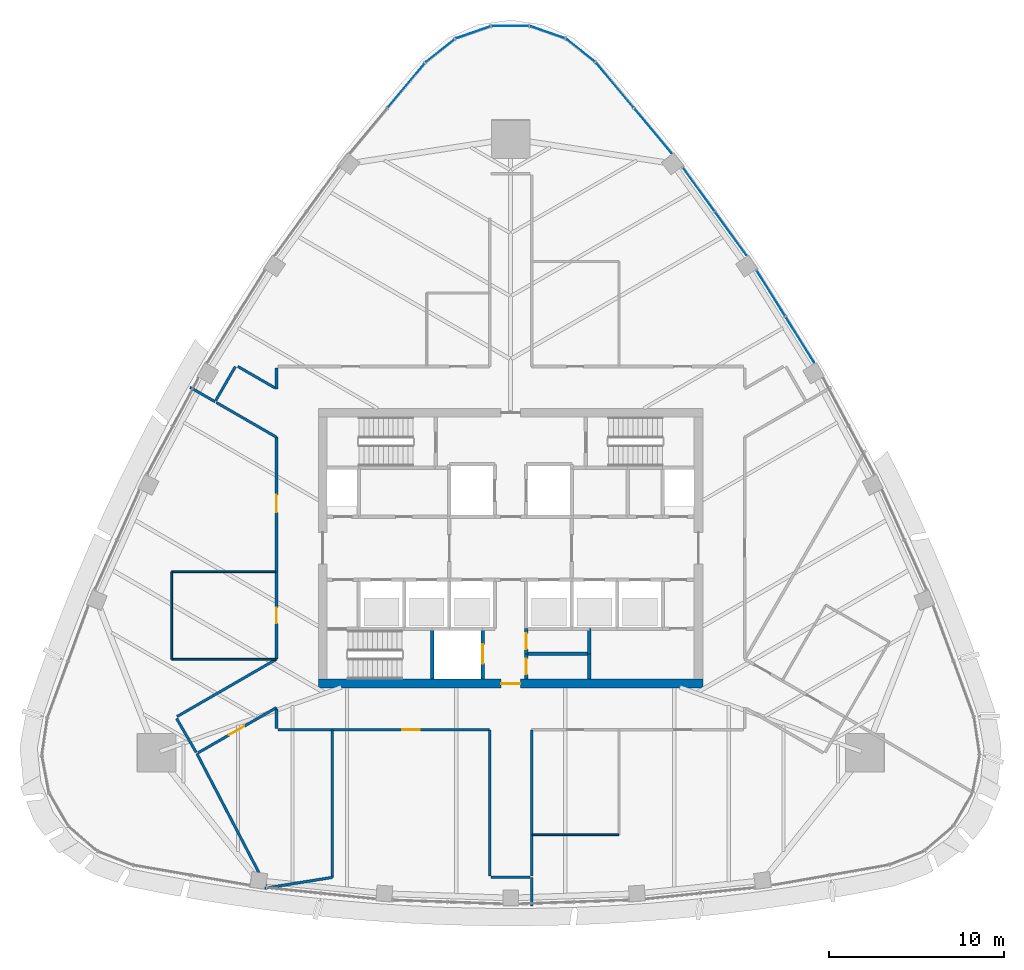
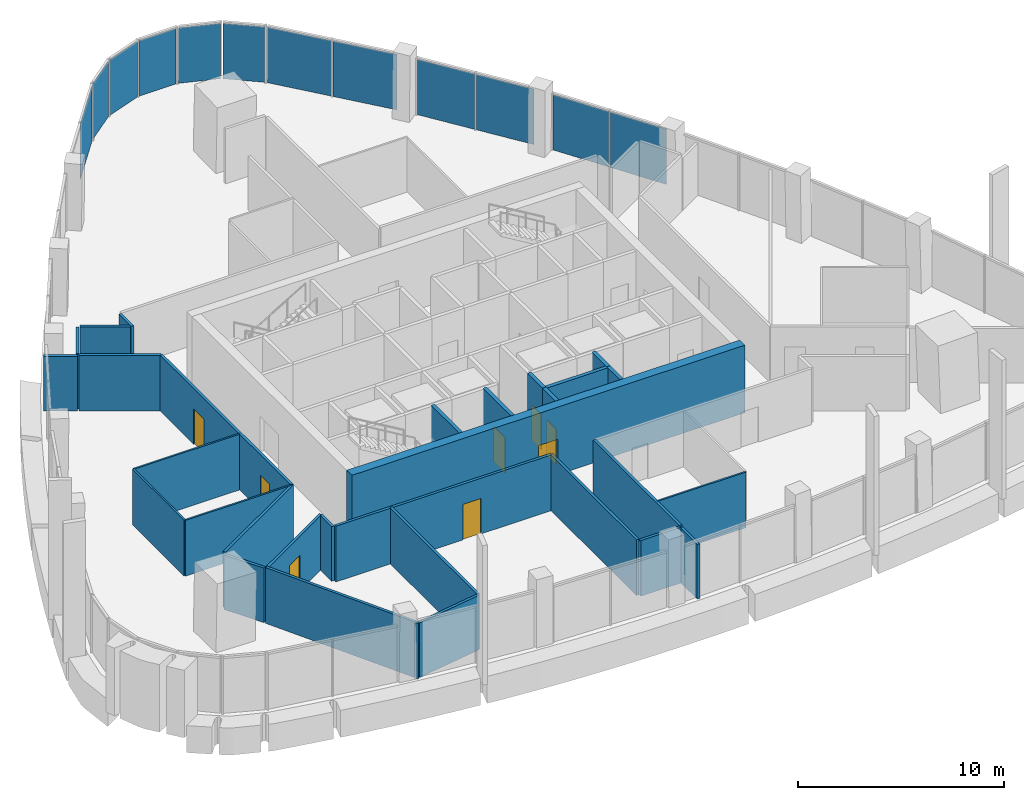
# One storey, part 8 of 16: 31 walls, 12 plates, 8 doors, 8 openings, 9 elements without a shape of their own.
"""IFC4 building model written with IfcOpenShell, lengths in metres."""

from ifc_helpers import new_model, si_unit, direction, frame, frame_2d, origin, origin_2d, place, context, subcontext, project, spatial, rectangle, extrude, material, layer, layer_set, type_object, element, fill, aggregate, save


model = new_model("IFC4")

# Units and contexts
model_context = context("Model", 3, precision=1e-05, world=origin(), true_north=direction((0.0, 1.0)))
body_context = subcontext(model_context, "Body", "Model", "MODEL_VIEW")
ifc_project = project(units=[si_unit("LENGTHUNIT", "METRE"), si_unit("AREAUNIT", "SQUARE_METRE"), si_unit("VOLUMEUNIT", "CUBIC_METRE"), si_unit("PLANEANGLEUNIT", "RADIAN"), si_unit("MASSUNIT", "GRAM", prefix="KILO")], contexts=[model_context])

# Site, building, storey
site_placement = place(None, origin())
site = spatial("IfcSite", under=ifc_project, at=site_placement, CompositionType="ELEMENT")
building_placement = place(site_placement, origin())
building = spatial("IfcBuilding", under=site, at=building_placement, Name="Sierra Prisma Convention Tower", CompositionType="ELEMENT")
storey_placement = place(building_placement, frame((0.0, 0.0, 303.0)))
storey = spatial("IfcBuildingStorey", under=building, at=storey_placement, Name="L69", CompositionType="ELEMENT", Elevation=303.0)

# Curtain wall, plates
ifc_material_1 = material(Name="Aluminium and glass curtain wall", Category="aluminium")
ifc_layer_1 = layer(ifc_material_1, 0.179931640625)
ifc_layer_set_1 = layer_set([ifc_layer_1], Name="CW-1 Plain shaft curtain wall")
curtain_wall_type = type_object("IfcCurtainWallType", Name="CW-1 Plain shaft curtain wall", PredefinedType="NOTDEFINED", material=ifc_layer_set_1)
curtain_wall_1_placement = place(storey_placement, origin())
curtain_wall_1 = element("IfcCurtainWall", 1, at=curtain_wall_1_placement, inside=storey, type_object=curtain_wall_type, Name="CW-1 NE4 L69", PredefinedType="NOTDEFINED")
ifc_material_2 = material(Name="Tinted glass bronze-grey IGU", Category="glass")
ifc_layer_2 = layer(ifc_material_2, 0.028076171875)
ifc_layer_set_2 = layer_set([ifc_layer_2], Name="CW-1 glass panel")
plate_type = type_object("IfcPlateType", Name="CW-1 glass panel", PredefinedType="CURTAIN_PANEL", material=ifc_layer_set_2)
plate_1_placement = place(storey_placement, frame((16.552734375, 11.92822265625, 0.0), z_axis=(0.0, 0.0, 1.0), x_axis=(-0.529554790081, 0.848275736009, 0.0)))
plate_1 = element("IfcPlate", 2, at=plate_1_placement, type_object=plate_type, Name="CW-1 panel NE4.1", PredefinedType="CURTAIN_PANEL", context=body_context, shape_type="SweptSolid", body=[
    extrude(rectangle(XDim=3.070068359375, YDim=0.028076171875, at=origin_2d()), origin(), (0.0, 0.0, 1.0), 3.280029296875),
])
plate_2_placement = place(storey_placement, frame((14.889892578125, 14.591796875, 0.0), z_axis=(0.0, 0.0, 1.0), x_axis=(-0.529554790081, 0.848275736009, 0.0)))
plate_2 = element("IfcPlate", 3, at=plate_2_placement, type_object=plate_type, Name="CW-1 panel NE4.2", PredefinedType="CURTAIN_PANEL", context=body_context, shape_type="SweptSolid", body=[
    extrude(rectangle(XDim=3.070068359375, YDim=0.028076171875, at=origin_2d()), origin(), (0.0, 0.0, 1.0), 3.280029296875),
])
aggregate(curtain_wall_1, [plate_1, plate_2])

curtain_wall_2_placement = place(storey_placement, origin())
curtain_wall_2 = element("IfcCurtainWall", 4, at=curtain_wall_2_placement, inside=storey, type_object=curtain_wall_type, Name="CW-1 NE5 L69", PredefinedType="NOTDEFINED")
plate_3_placement = place(storey_placement, frame((12.593994140625, 18.0029296875, 0.0), z_axis=(0.0, 0.0, 1.0), x_axis=(-0.586741806038, 0.809774075312, 0.0)))
plate_3 = element("IfcPlate", 5, at=plate_3_placement, type_object=plate_type, Name="CW-1 panel NE5.1", PredefinedType="CURTAIN_PANEL", context=body_context, shape_type="SweptSolid", body=[
    extrude(rectangle(XDim=3.054931640625, YDim=0.028076171875, at=origin_2d()), origin(), (0.0, 0.0, 1.0), 3.280029296875),
])
plate_4_placement = place(storey_placement, frame((10.760498046875, 20.533447265625, 0.0), z_axis=(0.0, 0.0, 1.0), x_axis=(-0.586741806038, 0.809774075312, 0.0)))
plate_4 = element("IfcPlate", 6, at=plate_4_placement, type_object=plate_type, Name="CW-1 panel NE5.2", PredefinedType="CURTAIN_PANEL", context=body_context, shape_type="SweptSolid", body=[
    extrude(rectangle(XDim=3.054931640625, YDim=0.028076171875, at=origin_2d()), origin(), (0.0, 0.0, 1.0), 3.280029296875),
])
aggregate(curtain_wall_2, [plate_3, plate_4])

curtain_wall_3_placement = place(storey_placement, origin())
curtain_wall_3 = element("IfcCurtainWall", 7, at=curtain_wall_3_placement, inside=storey, type_object=curtain_wall_type, Name="CW-1 NE6 L69", PredefinedType="NOTDEFINED")
plate_5_placement = place(storey_placement, frame((8.14306640625, 23.890869140625, 0.0), z_axis=(0.0, 0.0, 1.0), x_axis=(-0.641140195058, 0.7674237749, 0.0)))
plate_5 = element("IfcPlate", 8, at=plate_5_placement, type_object=plate_type, Name="CW-1 panel NE6.1", PredefinedType="CURTAIN_PANEL", context=body_context, shape_type="SweptSolid", body=[
    extrude(rectangle(XDim=3.30078125, YDim=0.028076171875, at=origin_2d()), origin(), (0.0, 0.0, 1.0), 3.280029296875),
])
plate_6_placement = place(storey_placement, frame((5.98193359375, 26.477783203125, 0.0), z_axis=(0.0, 0.0, 1.0), x_axis=(-0.641140195058, 0.7674237749, 0.0)))
plate_6 = element("IfcPlate", 9, at=plate_6_placement, type_object=plate_type, Name="CW-1 panel NE6.2", PredefinedType="CURTAIN_PANEL", context=body_context, shape_type="SweptSolid", body=[
    extrude(rectangle(XDim=3.30078125, YDim=0.028076171875, at=origin_2d()), origin(), (0.0, 0.0, 1.0), 3.280029296875),
])
aggregate(curtain_wall_3, [plate_5, plate_6])

# Curtain wall, plate
curtain_wall_4_placement = place(storey_placement, origin())
curtain_wall_4 = element("IfcCurtainWall", 10, at=curtain_wall_4_placement, inside=storey, type_object=curtain_wall_type, Name="CW-1 N1 L69", PredefinedType="NOTDEFINED")
plate_7_placement = place(storey_placement, frame((4.021728515625, 28.48046875, 0.0), z_axis=(0.0, 0.0, 1.0), x_axis=(-0.782410569814, 0.622762956704, 0.0)))
plate_7 = element("IfcPlate", 11, at=plate_7_placement, type_object=plate_type, Name="CW-1 panel N1.1", PredefinedType="CURTAIN_PANEL", context=body_context, shape_type="SweptSolid", body=[
    extrude(rectangle(XDim=2.05126953125, YDim=0.028076171875, at=origin_2d()), origin(), (0.0, 0.0, 1.0), 3.280029296875),
])
aggregate(curtain_wall_4, [plate_7])

curtain_wall_5_placement = place(storey_placement, origin())
curtain_wall_5 = element("IfcCurtainWall", 12, at=curtain_wall_5_placement, inside=storey, type_object=curtain_wall_type, Name="CW-1 N2 L69", PredefinedType="NOTDEFINED")
plate_8_placement = place(storey_placement, frame((2.130126953125, 29.524169921875, 0.0), z_axis=(0.0, 0.0, 1.0), x_axis=(-0.944036696801, 0.329840438838, 0.0)))
plate_8 = element("IfcPlate", 13, at=plate_8_placement, type_object=plate_type, Name="CW-1 panel N2.1", PredefinedType="CURTAIN_PANEL", context=body_context, shape_type="SweptSolid", body=[
    extrude(rectangle(XDim=2.05126953125, YDim=0.028076171875, at=origin_2d()), origin(), (0.0, 0.0, 1.0), 3.280029296875),
])
aggregate(curtain_wall_5, [plate_8])

curtain_wall_6_placement = place(storey_placement, origin())
curtain_wall_6 = element("IfcCurtainWall", 14, at=curtain_wall_6_placement, inside=storey, type_object=curtain_wall_type, Name="CW-1 N3 L69", PredefinedType="NOTDEFINED")
plate_9_placement = place(storey_placement, frame((0.0, 29.8857421875, 0.0), z_axis=(0.0, 0.0, 1.0), x_axis=(-1.0, 0.0, 0.0)))
plate_9 = element("IfcPlate", 15, at=plate_9_placement, type_object=plate_type, Name="CW-1 panel N3.1", PredefinedType="CURTAIN_PANEL", context=body_context, shape_type="SweptSolid", body=[
    extrude(rectangle(XDim=2.05126953125, YDim=0.028076171875, at=origin_2d()), origin(), (0.0, 0.0, 1.0), 3.280029296875),
])
aggregate(curtain_wall_6, [plate_9])

curtain_wall_7_placement = place(storey_placement, origin())
curtain_wall_7 = element("IfcCurtainWall", 16, at=curtain_wall_7_placement, inside=storey, type_object=curtain_wall_type, Name="CW-1 N4 L69", PredefinedType="NOTDEFINED")
plate_10_placement = place(storey_placement, frame((-2.130126953125, 29.524169921875, 0.0), z_axis=(0.0, 0.0, 1.0), x_axis=(-0.944036696801, -0.329840438838, 0.0)))
plate_10 = element("IfcPlate", 17, at=plate_10_placement, type_object=plate_type, Name="CW-1 panel N4.1", PredefinedType="CURTAIN_PANEL", context=body_context, shape_type="SweptSolid", body=[
    extrude(rectangle(XDim=2.05126953125, YDim=0.028076171875, at=origin_2d()), origin(), (0.0, 0.0, 1.0), 3.280029296875),
])
aggregate(curtain_wall_7, [plate_10])

curtain_wall_8_placement = place(storey_placement, origin())
curtain_wall_8 = element("IfcCurtainWall", 18, at=curtain_wall_8_placement, inside=storey, type_object=curtain_wall_type, Name="CW-1 N5 L69", PredefinedType="NOTDEFINED")
plate_11_placement = place(storey_placement, frame((-4.021728515625, 28.48046875, 0.0), z_axis=(0.0, 0.0, 1.0), x_axis=(-0.782410569814, -0.622762956704, 0.0)))
plate_11 = element("IfcPlate", 19, at=plate_11_placement, type_object=plate_type, Name="CW-1 panel N5.1", PredefinedType="CURTAIN_PANEL", context=body_context, shape_type="SweptSolid", body=[
    extrude(rectangle(XDim=2.05126953125, YDim=0.028076171875, at=origin_2d()), origin(), (0.0, 0.0, 1.0), 3.280029296875),
])
aggregate(curtain_wall_8, [plate_11])

curtain_wall_9_placement = place(storey_placement, origin())
curtain_wall_9 = element("IfcCurtainWall", 20, at=curtain_wall_9_placement, inside=storey, type_object=curtain_wall_type, Name="CW-1 NW1 L69", PredefinedType="NOTDEFINED")
plate_12_placement = place(storey_placement, frame((-5.98193359375, 26.477783203125, 0.0), z_axis=(0.0, 0.0, 1.0), x_axis=(-0.641140195058, -0.7674237749, 0.0)))
plate_12 = element("IfcPlate", 21, at=plate_12_placement, type_object=plate_type, Name="CW-1 panel NW1.1", PredefinedType="CURTAIN_PANEL", context=body_context, shape_type="SweptSolid", body=[
    extrude(rectangle(XDim=3.30078125, YDim=0.028076171875, at=origin_2d()), origin(), (0.0, 0.0, 1.0), 3.280029296875),
])
aggregate(curtain_wall_9, [plate_12])

# Walls
ifc_material_3 = material(Name="Gypsum board partition", Category="gypsum")
ifc_layer_3 = layer(ifc_material_3, 0.10009765625)
ifc_layer_set_3 = layer_set([ifc_layer_3], Name="Bathroom partition 100")
wall_type_1 = type_object("IfcWallType", Name="Bathroom partition 100", PredefinedType="PARTITIONING", material=ifc_layer_set_3)
wall_1_placement = place(storey_placement, frame((-13.4599609375, -6.350830078125, 0.0), z_axis=(0.0, 0.0, 1.0), x_axis=(-1.0, 0.0, 0.0)))
element("IfcWall", 22, at=wall_1_placement, inside=storey, type_object=wall_type_1, Name="Partition L69 bath 1", PredefinedType="PARTITIONING", context=body_context, shape_type="SweptSolid", body=[
    extrude(rectangle(XDim=5.93994140625, YDim=0.10009765625, at=frame_2d((2.969970703125, 0.0))), origin(), (0.0, 0.0, 1.0), 3.300048828125),
])
wall_2_placement = place(storey_placement, frame((-19.39990234375, -6.350830078125, 0.0), z_axis=(0.0, 0.0, 1.0), x_axis=(0.0, 1.0, 0.0)))
element("IfcWall", 23, at=wall_2_placement, inside=storey, type_object=wall_type_1, Name="Partition L69 bath 2", PredefinedType="PARTITIONING", context=body_context, shape_type="SweptSolid", body=[
    extrude(rectangle(XDim=5.0, YDim=0.10009765625, at=frame_2d((2.5, 0.0))), origin(), (0.0, 0.0, 1.0), 3.300048828125),
])
wall_3_placement = place(storey_placement, frame((-19.39990234375, -1.350830078125, 0.0), z_axis=(0.0, 0.0, 1.0), x_axis=(1.0, 0.0, 0.0)))
element("IfcWall", 24, at=wall_3_placement, inside=storey, type_object=wall_type_1, Name="Partition L69 bath 3", PredefinedType="PARTITIONING", context=body_context, shape_type="SweptSolid", body=[
    extrude(rectangle(XDim=5.969970703125, YDim=0.10009765625, at=frame_2d((2.98486328125, 0.0))), origin(), (0.0, 0.0, 1.0), 3.300048828125),
])
wall_4_placement = place(storey_placement, frame((6.199951171875, -16.39990234375, 0.0), z_axis=(0.0, 0.0, 1.0), x_axis=(-1.0, 0.0, 0.0)))
element("IfcWall", 25, at=wall_4_placement, inside=storey, type_object=wall_type_1, Name="Partition L69 bath 7", PredefinedType="PARTITIONING", context=body_context, shape_type="SweptSolid", body=[
    extrude(rectangle(XDim=4.969970703125, YDim=0.10009765625, at=frame_2d((2.48486328125, 0.0))), origin(), (0.0, 0.0, 1.0), 3.300048828125),
])
ifc_material_4 = material(Name="Concrete C30/37", Category="concrete")
ifc_layer_4 = layer(ifc_material_4, 0.199951171875)
ifc_layer_set_4 = layer_set([ifc_layer_4], Name="Core wall RC 200 C30/37")
wall_type_2 = type_object("IfcWallType", Name="Core wall RC 200 C30/37", PredefinedType="SOLIDWALL", material=ifc_layer_set_4)
wall_5_placement = place(storey_placement, frame((-4.5, -4.60009765625, 0.0), z_axis=(0.0, 0.0, 1.0), x_axis=(0.0, -1.0, 0.0)))
element("IfcWall", 26, at=wall_5_placement, inside=storey, type_object=wall_type_2, Name="Core wall L69 14", PredefinedType="SOLIDWALL", context=body_context, shape_type="SweptSolid", body=[
    extrude(rectangle(XDim=2.89990234375, YDim=0.199951171875, at=frame_2d((1.449951171875, 0.0))), origin(), (0.0, 0.0, 1.0), 3.85009765625),
])

# Wall, opening, door
wall_6_placement = place(storey_placement, frame((-1.60009765625, -7.5, 0.0), z_axis=(0.0, 0.0, 1.0), x_axis=(0.0, 1.0, 0.0)))
wall_6 = element("IfcWall", 27, at=wall_6_placement, inside=storey, type_object=wall_type_2, Name="Core wall L69 27", PredefinedType="SOLIDWALL", context=body_context, shape_type="SweptSolid", body=[
    extrude(rectangle(XDim=2.89990234375, YDim=0.199951171875, at=frame_2d((1.449951171875, 0.0))), origin(), (0.0, 0.0, 1.0), 3.85009765625),
])
opening_1_placement = place(wall_6_placement, frame((0.89990234375, 0.0, 0.0)))
opening_1 = element("IfcOpeningElement", 28, at=opening_1_placement, cuts=wall_6, Name="Opening L69-D009", PredefinedType="OPENING", context=body_context, shape_type="SweptSolid", body=[
    extrude(rectangle(XDim=1.10009765625, YDim=2.10009765625, at=frame_2d((0.550048828125, 1.050048828125))), frame((0.0, 0.10009765625, 0.0), z_axis=(0.0, -1.0, 0.0), x_axis=(1.0, 0.0, 0.0)), (0.0, 0.0, 1.0), 0.199951171875),
])
ifc_material_5 = material(Name="Steel fire door leaf", Category="steel")
door_type_1 = type_object("IfcDoorType", Name="Door 1100x2100 EI 90 sliding lift landing", OperationType="SLIDING_TO_LEFT", PredefinedType="DOOR", material=ifc_material_5)
door_1_placement = place(opening_1_placement, origin())
door_1 = element("IfcDoor", 29, at=door_1_placement, inside=storey, type_object=door_type_1, Name="Door L69 22", OperationType="SLIDING_TO_LEFT", OverallHeight=2.10009765625, OverallWidth=1.10009765625, PredefinedType="DOOR", context=body_context, shape_type="SweptSolid", body=[
    extrude(rectangle(XDim=1.10009765625, YDim=2.10009765625, at=frame_2d((0.550048828125, 1.050048828125))), frame((0.0, 0.02490234375, 0.0), z_axis=(0.0, -1.0, 0.0), x_axis=(1.0, 0.0, 0.0)), (0.0, 0.0, 1.0), 0.050048828125),
])
fill(opening_1, door_1)

wall_7_placement = place(storey_placement, frame((0.89990234375, -6.050048828125, 0.0), z_axis=(0.0, 0.0, 1.0), x_axis=(0.0, -1.0, 0.0)))
wall_7 = element("IfcWall", 30, at=wall_7_placement, inside=storey, type_object=wall_type_2, Name="Core wall L69 32", PredefinedType="SOLIDWALL", context=body_context, shape_type="SweptSolid", body=[
    extrude(rectangle(XDim=1.449951171875, YDim=0.199951171875, at=frame_2d((0.72509765625, 0.0))), origin(), (0.0, 0.0, 1.0), 3.85009765625),
])
opening_2_placement = place(wall_7_placement, frame((0.27490234375, 0.0, 0.0)))
opening_2 = element("IfcOpeningElement", 31, at=opening_2_placement, cuts=wall_7, Name="Opening L69-D025", PredefinedType="OPENING", context=body_context, shape_type="SweptSolid", body=[
    extrude(rectangle(XDim=0.89990234375, YDim=2.10009765625, at=frame_2d((0.449951171875, 1.050048828125))), frame((0.0, 0.10009765625, 0.0), z_axis=(0.0, -1.0, 0.0), x_axis=(1.0, 0.0, 0.0)), (0.0, 0.0, 1.0), 0.199951171875),
])
ifc_material_6 = material(Name="Steel fire door leaf", Category="steel")
door_type_2 = type_object("IfcDoorType", Name="Door 900x2100 FD30S", OperationType="SINGLE_SWING_LEFT", PredefinedType="DOOR", material=ifc_material_6)
door_2_placement = place(opening_2_placement, origin())
door_2 = element("IfcDoor", 32, at=door_2_placement, inside=storey, type_object=door_type_2, Name="Door L69 38", OperationType="SINGLE_SWING_RIGHT", OverallHeight=2.10009765625, OverallWidth=0.89990234375, PredefinedType="DOOR", context=body_context, shape_type="SweptSolid", body=[
    extrude(rectangle(XDim=0.89990234375, YDim=2.10009765625, at=frame_2d((0.449951171875, 1.050048828125))), frame((0.0, 0.02490234375, 0.0), z_axis=(0.0, -1.0, 0.0), x_axis=(1.0, 0.0, 0.0)), (0.0, 0.0, 1.0), 0.050048828125),
])
fill(opening_2, door_2)

# Wall
wall_8_placement = place(storey_placement, frame((4.5, -6.050048828125, 0.0), z_axis=(0.0, 0.0, 1.0), x_axis=(-1.0, 0.0, 0.0)))
element("IfcWall", 33, at=wall_8_placement, inside=storey, type_object=wall_type_2, Name="Core wall L69 33", PredefinedType="SOLIDWALL", context=body_context, shape_type="SweptSolid", body=[
    extrude(rectangle(XDim=3.60009765625, YDim=0.199951171875, at=frame_2d((1.800048828125, 0.0))), origin(), (0.0, 0.0, 1.0), 3.85009765625),
])

# Wall, opening, door
wall_9_placement = place(storey_placement, frame((0.89990234375, -4.60009765625, 0.0), z_axis=(0.0, 0.0, 1.0), x_axis=(0.0, -1.0, 0.0)))
wall_9 = element("IfcWall", 34, at=wall_9_placement, inside=storey, type_object=wall_type_2, Name="Core wall L69 34", PredefinedType="SOLIDWALL", context=body_context, shape_type="SweptSolid", body=[
    extrude(rectangle(XDim=1.449951171875, YDim=0.199951171875, at=frame_2d((0.72509765625, 0.0))), origin(), (0.0, 0.0, 1.0), 3.85009765625),
])
opening_3_placement = place(wall_9_placement, frame((0.27490234375, 0.0, 0.0)))
opening_3 = element("IfcOpeningElement", 35, at=opening_3_placement, cuts=wall_9, Name="Opening L69-D026", PredefinedType="OPENING", context=body_context, shape_type="SweptSolid", body=[
    extrude(rectangle(XDim=0.89990234375, YDim=2.10009765625, at=frame_2d((0.449951171875, 1.050048828125))), frame((0.0, 0.10009765625, 0.0), z_axis=(0.0, -1.0, 0.0), x_axis=(1.0, 0.0, 0.0)), (0.0, 0.0, 1.0), 0.199951171875),
])
door_3_placement = place(opening_3_placement, origin())
door_3 = element("IfcDoor", 36, at=door_3_placement, inside=storey, type_object=door_type_2, Name="Door L69 39", OperationType="SINGLE_SWING_LEFT", OverallHeight=2.10009765625, OverallWidth=0.89990234375, PredefinedType="DOOR", context=body_context, shape_type="SweptSolid", body=[
    extrude(rectangle(XDim=0.89990234375, YDim=2.10009765625, at=frame_2d((0.449951171875, 1.050048828125))), frame((0.0, 0.02490234375, 0.0), z_axis=(0.0, -1.0, 0.0), x_axis=(1.0, 0.0, 0.0)), (0.0, 0.0, 1.0), 0.050048828125),
])
fill(opening_3, door_3)

# Walls
for number, where, z_axis, x_axis, name in (
    (37, (4.5, -6.050048828125, 0.0), (0.0, 0.0, 1.0), (0.0, -1.0, 0.0), "Core wall L69 51"),
    (38, (4.5, -4.60009765625, 0.0), (0.0, 0.0, 1.0), (0.0, -1.0, 0.0), "Core wall L69 52"),
):
    element("IfcWall", number, at=place(storey_placement, frame(where, z_axis=z_axis, x_axis=x_axis)), inside=storey, type_object=wall_type_2, Name=name, PredefinedType="SOLIDWALL", context=body_context, shape_type="SweptSolid", body=[
        extrude(rectangle(XDim=1.449951171875, YDim=0.199951171875, at=frame_2d((0.72509765625, 0.0))), origin(), (0.0, 0.0, 1.0), 3.85009765625),
    ])

# Wall, opening, door
ifc_material_7 = material(Name="Concrete C50/60", Category="concrete")
ifc_layer_5 = layer(ifc_material_7, 0.5)
ifc_layer_set_5 = layer_set([ifc_layer_5], Name="Core wall RC 500 C50/60")
wall_type_3 = type_object("IfcWallType", Name="Core wall RC 500 C50/60", PredefinedType="SHEAR", material=ifc_layer_set_5)
wall_10_placement = place(storey_placement, frame((-11.0, -7.75, 0.0), z_axis=(0.0, 0.0, 1.0), x_axis=(1.0, 0.0, 0.0)))
wall_10 = element("IfcWall", 39, at=wall_10_placement, inside=storey, type_object=wall_type_3, Name="Core wall S L69", PredefinedType="SHEAR", context=body_context, shape_type="SweptSolid", body=[
    extrude(rectangle(XDim=22.0, YDim=0.5, at=frame_2d((11.0, 0.0))), origin(), (0.0, 0.0, 1.0), 4.0),
])
opening_4_placement = place(wall_10_placement, frame((10.449951171875, 0.0, 0.0)))
opening_4 = element("IfcOpeningElement", 40, at=opening_4_placement, cuts=wall_10, Name="Opening L69-D042", PredefinedType="OPENING", context=body_context, shape_type="SweptSolid", body=[
    extrude(rectangle(XDim=1.10009765625, YDim=2.10009765625, at=frame_2d((0.550048828125, 1.050048828125))), frame((0.0, 0.25, 0.0), z_axis=(0.0, -1.0, 0.0), x_axis=(1.0, 0.0, 0.0)), (0.0, 0.0, 1.0), 0.5),
])
ifc_material_8 = material(Name="Steel fire door leaf", Category="steel")
door_type_3 = type_object("IfcDoorType", Name="Door 1100x2100 FD30S", OperationType="SINGLE_SWING_LEFT", PredefinedType="DOOR", material=ifc_material_8)
door_4_placement = place(opening_4_placement, origin())
door_4 = element("IfcDoor", 41, at=door_4_placement, inside=storey, type_object=door_type_3, Name="Door L69 43", OperationType="SINGLE_SWING_RIGHT", OverallHeight=2.10009765625, OverallWidth=1.10009765625, PredefinedType="DOOR", context=body_context, shape_type="SweptSolid", body=[
    extrude(rectangle(XDim=1.10009765625, YDim=2.10009765625, at=frame_2d((0.550048828125, 1.050048828125))), frame((0.0, 0.02490234375, 0.0), z_axis=(0.0, -1.0, 0.0), x_axis=(1.0, 0.0, 0.0)), (0.0, 0.0, 1.0), 0.050048828125),
])
fill(opening_4, door_4)

# Walls
ifc_material_9 = material(Name="Gypsum board partition", Category="gypsum")
ifc_layer_6 = layer(ifc_material_9, 0.14990234375)
ifc_layer_set_6 = layer_set([ifc_layer_6], Name="Corridor wall 150 gypsum EI 60")
wall_type_4 = type_object("IfcWallType", Name="Corridor wall 150 gypsum EI 60", PredefinedType="PARTITIONING", material=ifc_layer_set_6)
wall_11_placement = place(storey_placement, frame((-19.1171875, -9.743896484375, 0.0), z_axis=(0.0, 0.0, 1.0), x_axis=(0.500030632641, -0.866007717299, 0.0)))
element("IfcWall", 42, at=wall_11_placement, inside=storey, type_object=wall_type_4, Name="Partition L69 corr 1", PredefinedType="PARTITIONING", context=body_context, shape_type="SweptSolid", body=[
    extrude(rectangle(XDim=2.239990234375, YDim=0.14990234375, at=frame_2d((1.1201171875, 0.0))), origin(), (0.0, 0.0, 1.0), 3.23291015625),
])
wall_12_placement = place(storey_placement, frame((-16.8466796875, 8.3408203125, 0.0), z_axis=(0.0, 0.0, 1.0), x_axis=(0.866026229868, -0.499998569178, 0.0)))
element("IfcWall", 43, at=wall_12_placement, inside=storey, type_object=wall_type_4, Name="Partition L69 corr 2", PredefinedType="PARTITIONING", context=body_context, shape_type="SweptSolid", body=[
    extrude(rectangle(XDim=3.97998046875, YDim=0.14990234375, at=frame_2d((1.989990234375, 0.0))), origin(), (0.0, 0.0, 1.0), 3.300048828125),
])

# Wall, openings, doors
wall_13_placement = place(storey_placement, frame((-13.39990234375, 6.350830078125, 0.0), z_axis=(0.0, 0.0, 1.0), x_axis=(0.0, -1.0, 0.0)))
wall_13 = element("IfcWall", 44, at=wall_13_placement, inside=storey, type_object=wall_type_4, Name="Partition L69 corr 3", PredefinedType="PARTITIONING", context=body_context, shape_type="SweptSolid", body=[
    extrude(rectangle(XDim=12.70166015625, YDim=0.14990234375, at=frame_2d((6.350830078125, 0.0))), origin(), (0.0, 0.0, 1.0), 3.300048828125),
])
opening_5_placement = place(wall_13_placement, frame((9.751708984375, 0.0, 0.0)))
opening_5 = element("IfcOpeningElement", 45, at=opening_5_placement, cuts=wall_13, Name="Opening L69-D032", PredefinedType="OPENING", context=body_context, shape_type="SweptSolid", body=[
    extrude(rectangle(XDim=0.89990234375, YDim=2.10009765625, at=frame_2d((0.449951171875, 1.050048828125))), frame((0.0, 0.074951171875, 0.0), z_axis=(0.0, -1.0, 0.0), x_axis=(1.0, 0.0, 0.0)), (0.0, 0.0, 1.0), 0.14990234375),
])
opening_6_placement = place(wall_13_placement, frame((3.30078125, 0.0, 0.0)))
opening_6 = element("IfcOpeningElement", 46, at=opening_6_placement, cuts=wall_13, Name="Opening L69-D033", PredefinedType="OPENING", context=body_context, shape_type="SweptSolid", body=[
    extrude(rectangle(XDim=1.0, YDim=2.10009765625, at=frame_2d((0.5, 1.050048828125))), frame((0.0, 0.074951171875, 0.0), z_axis=(0.0, -1.0, 0.0), x_axis=(1.0, 0.0, 0.0)), (0.0, 0.0, 1.0), 0.14990234375),
])
ifc_material_10 = material(Name="Steel fire door leaf", Category="steel")
door_type_4 = type_object("IfcDoorType", Name="Door 1000x2100 FD30S", OperationType="SINGLE_SWING_LEFT", PredefinedType="DOOR", material=ifc_material_10)
door_5_placement = place(opening_6_placement, origin())
door_5 = element("IfcDoor", 47, at=door_5_placement, inside=storey, type_object=door_type_4, Name="Door L69 7", OperationType="SINGLE_SWING_RIGHT", OverallHeight=2.10009765625, OverallWidth=1.0, PredefinedType="DOOR", context=body_context, shape_type="SweptSolid", body=[
    extrude(rectangle(XDim=1.0, YDim=2.10009765625, at=frame_2d((0.5, 1.050048828125))), frame((0.0, 0.02490234375, 0.0), z_axis=(0.0, -1.0, 0.0), x_axis=(1.0, 0.0, 0.0)), (0.0, 0.0, 1.0), 0.050048828125),
])
fill(opening_6, door_5)
door_6_placement = place(opening_5_placement, origin())
door_6 = element("IfcDoor", 48, at=door_6_placement, inside=storey, type_object=door_type_2, Name="Door L69 6", OperationType="SINGLE_SWING_LEFT", OverallHeight=2.10009765625, OverallWidth=0.89990234375, PredefinedType="DOOR", context=body_context, shape_type="SweptSolid", body=[
    extrude(rectangle(XDim=0.89990234375, YDim=2.10009765625, at=frame_2d((0.449951171875, 1.050048828125))), frame((0.0, 0.02490234375, 0.0), z_axis=(0.0, -1.0, 0.0), x_axis=(1.0, 0.0, 0.0)), (0.0, 0.0, 1.0), 0.050048828125),
])
fill(opening_5, door_6)

# Wall
wall_14_placement = place(storey_placement, frame((-13.39990234375, -6.350830078125, 0.0), z_axis=(0.0, 0.0, 1.0), x_axis=(-0.866027119138, -0.499997028909, 0.0)))
element("IfcWall", 49, at=wall_14_placement, inside=storey, type_object=wall_type_4, Name="Partition L69 corr 4", PredefinedType="PARTITIONING", context=body_context, shape_type="SweptSolid", body=[
    extrude(rectangle(XDim=6.56787109375, YDim=0.14990234375, at=frame_2d((3.283935546875, 0.0))), origin(), (0.0, 0.0, 1.0), 3.300048828125),
])

# Wall, opening, door
wall_15_placement = place(storey_placement, frame((-17.8876953125, -11.713134765625, 0.0), z_axis=(0.0, 0.0, 1.0), x_axis=(0.866022397746, 0.500005206576, 0.0)))
wall_15 = element("IfcWall", 50, at=wall_15_placement, inside=storey, type_object=wall_type_4, Name="Partition L69 corr 5", PredefinedType="PARTITIONING", context=body_context, shape_type="SweptSolid", body=[
    extrude(rectangle(XDim=5.18212890625, YDim=0.14990234375, at=frame_2d((2.591064453125, 0.0))), origin(), (0.0, 0.0, 1.0), 3.23291015625),
])
opening_7_placement = place(wall_15_placement, frame((2.051025390625, 0.0, 0.0)))
opening_7 = element("IfcOpeningElement", 51, at=opening_7_placement, cuts=wall_15, Name="Opening L69-D034", PredefinedType="OPENING", context=body_context, shape_type="SweptSolid", body=[
    extrude(rectangle(XDim=1.0, YDim=2.10009765625, at=frame_2d((0.5, 1.050048828125))), frame((0.0, 0.074951171875, 0.0), z_axis=(0.0, -1.0, 0.0), x_axis=(1.0, 0.0, 0.0)), (0.0, 0.0, 1.0), 0.14990234375),
])
door_7_placement = place(opening_7_placement, origin())
door_7 = element("IfcDoor", 52, at=door_7_placement, inside=storey, type_object=door_type_4, Name="Door L69 8", OperationType="SINGLE_SWING_RIGHT", OverallHeight=2.10009765625, OverallWidth=1.0, PredefinedType="DOOR", context=body_context, shape_type="SweptSolid", body=[
    extrude(rectangle(XDim=1.0, YDim=2.10009765625, at=frame_2d((0.5, 1.050048828125))), frame((0.0, 0.02490234375, 0.0), z_axis=(0.0, -1.0, 0.0), x_axis=(1.0, 0.0, 0.0)), (0.0, 0.0, 1.0), 0.050048828125),
])
fill(opening_7, door_7)

# Walls
wall_16_placement = place(storey_placement, frame((-13.39990234375, -9.213623046875, 0.0), z_axis=(0.0, 0.0, 1.0), x_axis=(0.0, -1.0, 0.0)))
element("IfcWall", 53, at=wall_16_placement, inside=storey, type_object=wall_type_4, Name="Partition L69 corr 6", PredefinedType="PARTITIONING", context=body_context, shape_type="SweptSolid", body=[
    extrude(rectangle(XDim=1.1064453125, YDim=0.14990234375, at=frame_2d((0.55322265625, 0.0))), origin(), (0.0, 0.0, 1.0), 3.23291015625),
])
wall_17_placement = place(storey_placement, frame((-15.755859375, 10.389892578125, 0.0), z_axis=(0.0, 0.0, 1.0), x_axis=(-0.500077830873, -0.865980463445, 0.0)))
element("IfcWall", 54, at=wall_17_placement, inside=storey, type_object=wall_type_4, Name="Partition L69 corr 7", PredefinedType="PARTITIONING", context=body_context, shape_type="SweptSolid", body=[
    extrude(rectangle(XDim=2.239990234375, YDim=0.14990234375, at=frame_2d((1.1201171875, 0.0))), origin(), (0.0, 0.0, 1.0), 3.300048828125),
])
wall_18_placement = place(storey_placement, frame((-13.39990234375, 10.320068359375, 0.0), z_axis=(0.0, 0.0, 1.0), x_axis=(0.0, -1.0, 0.0)))
element("IfcWall", 55, at=wall_18_placement, inside=storey, type_object=wall_type_4, Name="Partition L69 corr 8", PredefinedType="PARTITIONING", context=body_context, shape_type="SweptSolid", body=[
    extrude(rectangle(XDim=1.197998046875, YDim=0.14990234375, at=frame_2d((0.59912109375, 0.0))), origin(), (0.0, 0.0, 1.0), 3.300048828125),
])
wall_19_placement = place(storey_placement, frame((-13.479248046875, 9.16796875, 0.0), z_axis=(0.0, 0.0, 1.0), x_axis=(-0.866051946521, 0.499954023813, 0.0)))
element("IfcWall", 56, at=wall_19_placement, inside=storey, type_object=wall_type_4, Name="Partition L69 corr 9", PredefinedType="PARTITIONING", context=body_context, shape_type="SweptSolid", body=[
    extrude(rectangle(XDim=2.464111328125, YDim=0.14990234375, at=frame_2d((1.23193359375, 0.0))), origin(), (0.0, 0.0, 1.0), 3.300048828125),
])

# Wall, opening, door
wall_20_placement = place(storey_placement, frame((-13.320068359375, -10.39990234375, 0.0), z_axis=(0.0, 0.0, 1.0), x_axis=(1.0, 0.0, 0.0)))
wall_20 = element("IfcWall", 57, at=wall_20_placement, inside=storey, type_object=wall_type_4, Name="Partition L69 corr 10", PredefinedType="PARTITIONING", context=body_context, shape_type="SweptSolid", body=[
    extrude(rectangle(XDim=12.1201171875, YDim=0.14990234375, at=frame_2d((6.06005859375, 0.0))), origin(), (0.0, 0.0, 1.0), 3.300048828125),
])
opening_8_placement = place(wall_20_placement, frame((7.1201171875, 0.0, 0.0)))
opening_8 = element("IfcOpeningElement", 58, at=opening_8_placement, cuts=wall_20, Name="Opening L69-D035", PredefinedType="OPENING", context=body_context, shape_type="SweptSolid", body=[
    extrude(rectangle(XDim=1.0, YDim=2.10009765625, at=frame_2d((0.5, 1.050048828125))), frame((0.0, 0.074951171875, 0.0), z_axis=(0.0, -1.0, 0.0), x_axis=(1.0, 0.0, 0.0)), (0.0, 0.0, 1.0), 0.14990234375),
])
door_8_placement = place(opening_8_placement, origin())
door_8 = element("IfcDoor", 59, at=door_8_placement, inside=storey, type_object=door_type_4, Name="Door L69 9", OperationType="SINGLE_SWING_LEFT", OverallHeight=2.10009765625, OverallWidth=1.0, PredefinedType="DOOR", context=body_context, shape_type="SweptSolid", body=[
    extrude(rectangle(XDim=1.0, YDim=2.10009765625, at=frame_2d((0.5, 1.050048828125))), frame((0.0, 0.02490234375, 0.0), z_axis=(0.0, -1.0, 0.0), x_axis=(1.0, 0.0, 0.0)), (0.0, 0.0, 1.0), 0.050048828125),
])
fill(opening_8, door_8)

# Walls
wall_21_placement = place(storey_placement, frame((-1.199951171875, -10.39990234375, 0.0), z_axis=(0.0, 0.0, 1.0), x_axis=(0.0, -1.0, 0.0)))
element("IfcWall", 60, at=wall_21_placement, inside=storey, type_object=wall_type_4, Name="Partition L69 corr 11", PredefinedType="PARTITIONING", context=body_context, shape_type="SweptSolid", body=[
    extrude(rectangle(XDim=8.360107421875, YDim=0.14990234375, at=frame_2d((4.18017578125, 0.0))), origin(), (0.0, 0.0, 1.0), 3.300048828125),
])
wall_22_placement = place(storey_placement, frame((-1.1201171875, -18.840087890625, 0.0), z_axis=(0.0, 0.0, 1.0), x_axis=(1.0, 0.0, 0.0)))
element("IfcWall", 61, at=wall_22_placement, inside=storey, type_object=wall_type_4, Name="Partition L69 corr 14", PredefinedType="PARTITIONING", context=body_context, shape_type="SweptSolid", body=[
    extrude(rectangle(XDim=2.240234375, YDim=0.14990234375, at=frame_2d((1.1201171875, 0.0))), origin(), (0.0, 0.0, 1.0), 3.300048828125),
])
wall_23_placement = place(storey_placement, frame((1.199951171875, -18.760009765625, 0.0), z_axis=(0.0, 0.0, 1.0), x_axis=(0.0, 1.0, 0.0)))
element("IfcWall", 62, at=wall_23_placement, inside=storey, type_object=wall_type_4, Name="Partition L69 corr 16", PredefinedType="PARTITIONING", context=body_context, shape_type="SweptSolid", body=[
    extrude(rectangle(XDim=8.360107421875, YDim=0.14990234375, at=frame_2d((4.18017578125, 0.0))), origin(), (0.0, 0.0, 1.0), 3.300048828125),
])
ifc_material_11 = material(Name="Gypsum board partition", Category="gypsum")
ifc_layer_7 = layer(ifc_material_11, 0.14990234375)
ifc_layer_set_7 = layer_set([ifc_layer_7], Name="Party wall 150 gypsum")
wall_type_5 = type_object("IfcWallType", Name="Party wall 150 gypsum", PredefinedType="PARTITIONING", material=ifc_layer_set_7)
wall_24_placement = place(storey_placement, frame((-16.916015625, 8.380859375, 0.0), z_axis=(0.0, 0.0, 1.0), x_axis=(-0.866047486323, 0.49996174997, 0.0)))
element("IfcWall", 63, at=wall_24_placement, inside=storey, type_object=wall_type_5, Name="Partition L69 party 1", PredefinedType="PARTITIONING", context=body_context, shape_type="SweptSolid", body=[
    extrude(rectangle(XDim=1.648681640625, YDim=0.14990234375, at=frame_2d((0.82421875, 0.0))), origin(), (0.0, 0.0, 1.0), 3.23388671875),
])
wall_25_placement = place(storey_placement, frame((-17.95703125, -11.753173828125, 0.0), z_axis=(0.0, 0.0, 1.0), x_axis=(0.462142572693, -0.886805639644, 0.0)))
element("IfcWall", 64, at=wall_25_placement, inside=storey, type_object=wall_type_5, Name="Partition L69 party 2", PredefinedType="PARTITIONING", context=body_context, shape_type="SweptSolid", body=[
    extrude(rectangle(XDim=8.552734375, YDim=0.14990234375, at=frame_2d((4.2763671875, 0.0))), origin(), (0.0, 0.0, 1.0), 3.300048828125),
])
wall_26_placement = place(storey_placement, frame((-10.199951171875, -10.39990234375, 0.0), z_axis=(0.0, 0.0, 1.0), x_axis=(0.0, -1.0, 0.0)))
element("IfcWall", 65, at=wall_26_placement, inside=storey, type_object=wall_type_5, Name="Partition L69 party 3", PredefinedType="PARTITIONING", context=body_context, shape_type="SweptSolid", body=[
    extrude(rectangle(XDim=8.440185546875, YDim=0.14990234375, at=frame_2d((4.22021484375, 0.0))), origin(), (0.0, 0.0, 1.0), 3.300048828125),
])
wall_27_placement = place(storey_placement, frame((-10.199951171875, -18.840087890625, 0.0), z_axis=(0.0, 0.0, 1.0), x_axis=(-0.987451332471, -0.157923608119, 0.0)))
element("IfcWall", 66, at=wall_27_placement, inside=storey, type_object=wall_type_5, Name="Partition L69 party 4", PredefinedType="PARTITIONING", context=body_context, shape_type="SweptSolid", body=[
    extrude(rectangle(XDim=3.700927734375, YDim=0.14990234375, at=frame_2d((1.8505859375, 0.0))), origin(), (0.0, 0.0, 1.0), 3.23388671875),
])
wall_28_placement = place(storey_placement, frame((-13.904541015625, -19.510986328125, 0.0), z_axis=(0.0, 0.0, 1.0), x_axis=(-0.796009034685, 0.605284740185, 0.0)))
element("IfcWall", 67, at=wall_28_placement, inside=storey, type_object=wall_type_5, Name="Partition L69 party 5", PredefinedType="PARTITIONING", context=body_context, shape_type="SweptSolid", body=[
    extrude(rectangle(XDim=0.184326171875, YDim=0.14990234375, at=frame_2d((0.09228515625, 0.0))), origin(), (0.0, 0.0, 1.0), 3.300048828125),
])
wall_29_placement = place(storey_placement, frame((1.199951171875, -18.840087890625, 0.0), z_axis=(0.0, 0.0, 1.0), x_axis=(0.0, -1.0, 0.0)))
element("IfcWall", 68, at=wall_29_placement, inside=storey, type_object=wall_type_5, Name="Partition L69 party 7", PredefinedType="PARTITIONING", context=body_context, shape_type="SweptSolid", body=[
    extrude(rectangle(XDim=1.648681640625, YDim=0.14990234375, at=frame_2d((0.82421875, 0.0))), origin(), (0.0, 0.0, 1.0), 3.23388671875),
])

save(model, "model.ifc")
